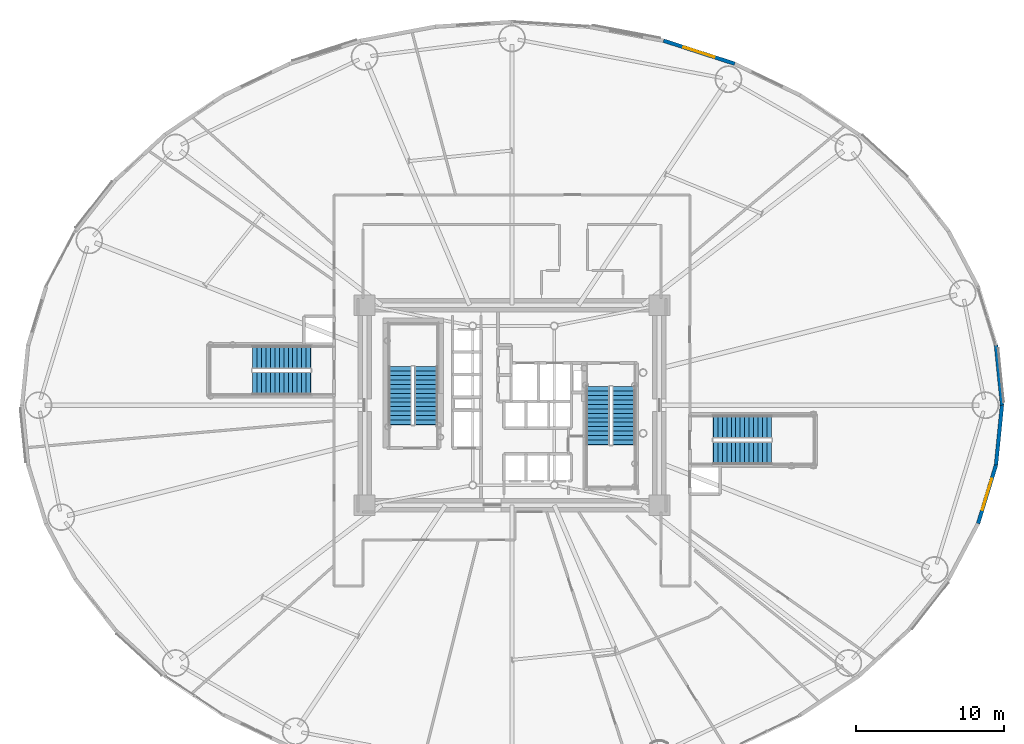
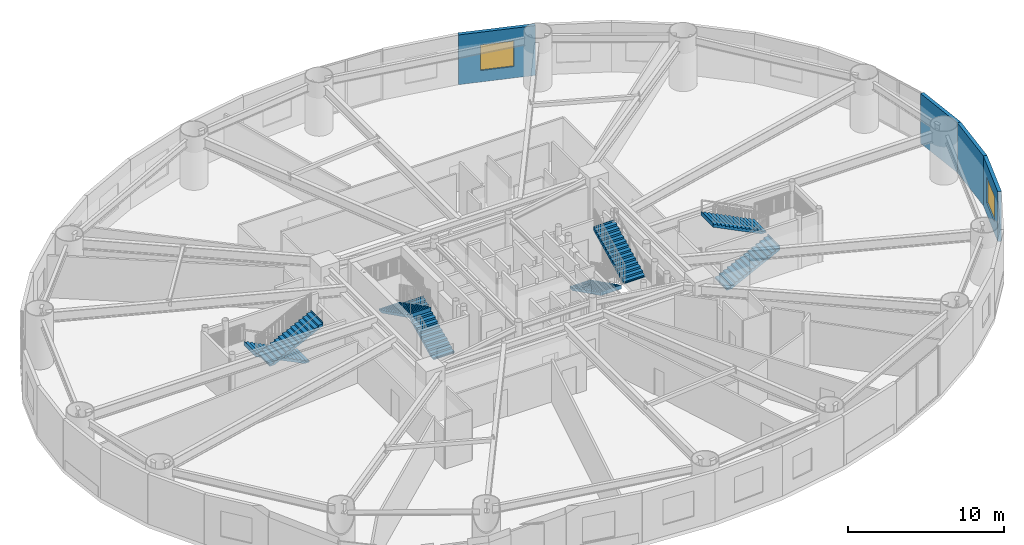
# One storey, part 19 of 30: 8 stair flights, 4 walls, 2 windows, 2 openings, 4 elements without a shape of their own.
"""IFC4 building model written with IfcOpenShell, lengths in metres."""

from ifc_helpers import new_model, si_unit, direction, frame, frame_2d, origin, origin_2d, place, context, subcontext, project, spatial, polyline, rectangle, outline, extrude, source, transform, mapped, material, layer, layer_set, type_object, element, fill, aggregate, save


model = new_model("IFC4")

# Units and contexts
model_context = context("Model", 3, precision=1e-05, world=origin(), true_north=direction((0.0, 1.0)))
body_context = subcontext(model_context, "Body", "Model", "MODEL_VIEW")
ifc_project = project(units=[si_unit("LENGTHUNIT", "METRE"), si_unit("AREAUNIT", "SQUARE_METRE"), si_unit("VOLUMEUNIT", "CUBIC_METRE"), si_unit("PLANEANGLEUNIT", "RADIAN"), si_unit("MASSUNIT", "GRAM", prefix="KILO")], contexts=[model_context])

# Site, building, storey
site_placement = place(None, origin())
site = spatial("IfcSite", under=ifc_project, at=site_placement, CompositionType="ELEMENT")
building_placement = place(site_placement, origin())
building = spatial("IfcBuilding", under=site, at=building_placement, Name="Linh Dai School and Residence Tower", CompositionType="ELEMENT")
storey_placement = place(building_placement, frame((0.0, 0.0, 10.199951171875)))
storey = spatial("IfcBuildingStorey", under=building, at=storey_placement, Name="L02", CompositionType="ELEMENT", Elevation=10.199951171875)

# Wall
ifc_material_1 = material(Name="Precast Concrete B45 (C35/45)", Category="concrete")
ifc_layer = layer(ifc_material_1, 0.25)
ifc_layer_set = layer_set([ifc_layer], Name="Precast Concrete B45 (C35/45)")
wall_type = type_object("IfcWallType", Name="EW-TC-250", PredefinedType="SOLIDWALL", material=ifc_layer_set)
wall_1_placement = place(storey_placement, frame((68.668701171875, 31.04248046875, 0.0), z_axis=(0.0, 0.0, 1.0), x_axis=(0.099991575324, -0.994988283782, 0.0)))
element("IfcWall", 1, at=wall_1_placement, inside=storey, type_object=wall_type, Name="L02 Terracotta Exterior Wall 01", PredefinedType="SOLIDWALL", context=body_context, shape_type="SweptSolid", body=[
    extrude(rectangle(XDim=4.062744140625, YDim=0.25, at=frame_2d((2.03125, 0.0))), origin(), (0.0, 0.0, 1.0), 3.900146484375),
])

# Wall, opening, window
wall_2_placement = place(storey_placement, frame((46.228515625, 51.6064453125, 0.0), z_axis=(0.0, 0.0, 1.0), x_axis=(0.951198629726, -0.308579271513, 0.0)))
wall_2 = element("IfcWall", 2, at=wall_2_placement, inside=storey, type_object=wall_type, Name="L02 Terracotta Exterior Wall 08", PredefinedType="SOLIDWALL", context=body_context, shape_type="SweptSolid", body=[
    extrude(rectangle(XDim=5.043701171875, YDim=0.25, at=frame_2d((2.52197265625, 0.0))), origin(), (0.0, 0.0, 1.0), 3.900146484375),
])
opening_1_placement = place(wall_2_placement, frame((1.421630859375, 0.0, 0.89990234375)))
opening_1 = element("IfcOpeningElement", 3, at=opening_1_placement, cuts=wall_2, Name="Opening W4", PredefinedType="OPENING", context=body_context, shape_type="SweptSolid", body=[
    extrude(rectangle(XDim=2.199951171875, YDim=2.0, at=origin_2d()), frame((1.10009765625, 0.135009765625, 1.0), z_axis=(0.0, -1.0, 0.0), x_axis=(1.0, 0.0, 0.0)), (0.0, 0.0, 1.0), 0.27001953125),
])
ifc_material_2 = material(Name="Acoustic Laminated Low-E Glazing", Category="glass")
window_type = type_object("IfcWindowType", Name="WN-SCH-2200x2000", PartitioningType="TRIPLE_PANEL_VERTICAL", PredefinedType="WINDOW", material=ifc_material_2)
shared_shape_1 = source(origin(), body_context, "Body", "SweptSolid", [
    extrude(rectangle(XDim=2.199951171875, YDim=2.0, at=origin_2d()), frame((1.10009765625, 0.030029296875, 1.0), z_axis=(0.0, -1.0, 0.0), x_axis=(1.0, 0.0, 0.0)), (0.0, 0.0, 1.0), 0.06005859375),
])
window_1_placement = place(opening_1_placement, origin())
window_1 = element("IfcWindow", 4, at=window_1_placement, inside=storey, type_object=window_type, Name="L02 Exterior Window 08.1", OverallHeight=2.0, OverallWidth=2.199951171875, PartitioningType="TRIPLE_PANEL_VERTICAL", PredefinedType="WINDOW", context=body_context, shape_type="MappedRepresentation", body=[
    mapped(shared_shape_1, transform((0.0, 0.0, 0.0), x_axis=(1.0, 0.0, 0.0), y_axis=(0.0, 1.0, 0.0), z_axis=(0.0, 0.0, 1.0), scale=1.0)),
])
fill(opening_1, window_1)

wall_3_placement = place(storey_placement, frame((68.668701171875, 22.95751953125, 0.0), z_axis=(0.0, 0.0, 1.0), x_axis=(-0.293070945898, -0.956090696885, 0.0)))
wall_3 = element("IfcWall", 5, at=wall_3_placement, inside=storey, type_object=wall_type, Name="L02 Terracotta Exterior Wall 39", PredefinedType="SOLIDWALL", context=body_context, shape_type="SweptSolid", body=[
    extrude(rectangle(XDim=4.125244140625, YDim=0.25, at=frame_2d((2.0625, 0.0))), origin(), (0.0, 0.0, 1.0), 3.900146484375),
])
opening_2_placement = place(wall_3_placement, frame((0.962646484375, 0.0, 0.89990234375)))
opening_2 = element("IfcOpeningElement", 6, at=opening_2_placement, cuts=wall_3, Name="Opening W4", PredefinedType="OPENING", context=body_context, shape_type="SweptSolid", body=[
    extrude(rectangle(XDim=2.199951171875, YDim=2.0, at=origin_2d()), frame((1.10009765625, 0.135009765625, 1.0), z_axis=(0.0, -1.0, 0.0), x_axis=(1.0, 0.0, 0.0)), (0.0, 0.0, 1.0), 0.27001953125),
])
window_2_placement = place(opening_2_placement, origin())
window_2 = element("IfcWindow", 7, at=window_2_placement, inside=storey, type_object=window_type, Name="L02 Exterior Window 39.1", OverallHeight=2.0, OverallWidth=2.199951171875, PartitioningType="TRIPLE_PANEL_VERTICAL", PredefinedType="WINDOW", context=body_context, shape_type="MappedRepresentation", body=[
    mapped(shared_shape_1, transform((0.0, 0.0, 0.0), x_axis=(1.0, 0.0, 0.0), y_axis=(0.0, 1.0, 0.0), z_axis=(0.0, 0.0, 1.0), scale=1.0)),
])
fill(opening_2, window_2)

# Wall
wall_4_placement = place(storey_placement, frame((69.074951171875, 27.0, 0.0), z_axis=(0.0, 0.0, 1.0), x_axis=(-0.099991575324, -0.994988283782, 0.0)))
element("IfcWall", 8, at=wall_4_placement, inside=storey, type_object=wall_type, Name="L02 Terracotta Exterior Wall 40", PredefinedType="SOLIDWALL", context=body_context, shape_type="SweptSolid", body=[
    extrude(rectangle(XDim=4.062744140625, YDim=0.25, at=frame_2d((2.03125, 0.0))), origin(), (0.0, 0.0, 1.0), 3.900146484375),
])

# Stair, stair flights
ifc_material_3 = material(Name="Concrete B45 (C35/45)", Category="concrete")
stair_type = type_object("IfcStairType", Name="ST-DOG-1550-R1500", PredefinedType="HALF_TURN_STAIR", material=ifc_material_3)
stair_1_placement = place(storey_placement, origin())
stair_1 = element("IfcStair", 9, at=stair_1_placement, inside=storey, type_object=stair_type, Name="L02 Core Smokeproof Exit Stair ST1", PredefinedType="HALF_TURN_STAIR")
stair_flight_type = type_object("IfcStairFlightType", Name="STF-STR-1550-R1500", PredefinedType="STRAIGHT", material=ifc_material_3)
shared_shape_2 = source(origin(), body_context, "Body", "SweptSolid", [
    extrude(outline(polyline([(-0.02490234375, 0.0), (-0.02490234375, 0.06005859375), (0.0, 0.06005859375), (0.0, 0.14990234375), (0.300048828125, 0.14990234375), (0.300048828125, 0.300048828125), (0.60009765625, 0.300048828125), (0.60009765625, 0.449951171875), (0.89990234375, 0.449951171875), (0.89990234375, 0.60009765625), (1.199951171875, 0.60009765625), (1.199951171875, 0.75), (1.5, 0.75), (1.5, 0.89990234375), (1.800048828125, 0.89990234375), (1.800048828125, 1.050048828125), (2.10009765625, 1.050048828125), (2.10009765625, 1.199951171875), (2.39990234375, 1.199951171875), (2.39990234375, 1.35009765625), (2.699951171875, 1.35009765625), (2.699951171875, 1.5), (3.0, 1.5), (3.0, 1.64990234375), (3.300048828125, 1.64990234375), (3.300048828125, 1.800048828125), (3.60009765625, 1.800048828125), (3.60009765625, 1.949951171875), (3.89990234375, 1.949951171875), (3.89990234375, 2.10009765625), (3.925048828125, 2.10009765625), (3.925048828125, 1.782470703125), (3.89990234375, 1.782470703125), (0.335205078125, 0.0), (-0.02490234375, 0.0)])), frame((0.0, 0.77490234375, 0.0), z_axis=(0.0, -1.0, 0.0), x_axis=(1.0, 0.0, 0.0)), (0.0, 0.0, 1.0), 1.550048828125),
])
stair_flight_1_placement = place(storey_placement, frame((30.205078125, 25.699951171875, 0.0), z_axis=(0.0, 0.0, 1.0), x_axis=(0.0, 1.0, 0.0)))
stair_flight_1 = element("IfcStairFlight", 10, at=stair_flight_1_placement, type_object=stair_flight_type, Name="ST1 flight 1", NumberOfRisers=14, NumberOfTreads=13, PredefinedType="STRAIGHT", RiserHeight=0.15, TreadLength=0.3, context=body_context, shape_type="MappedRepresentation", body=[
    mapped(shared_shape_2, transform((0.0, 0.0, 0.0), x_axis=(1.0, 0.0, 0.0), y_axis=(0.0, 1.0, 0.0), z_axis=(0.0, 0.0, 1.0), scale=1.0)),
])
stair_flight_2_placement = place(storey_placement, frame((28.455078125, 29.60009765625, 2.10009765625), z_axis=(0.0, 0.0, 1.0), x_axis=(0.0, -1.0, 0.0)))
stair_flight_2 = element("IfcStairFlight", 11, at=stair_flight_2_placement, type_object=stair_flight_type, Name="ST1 flight 2", NumberOfRisers=14, NumberOfTreads=13, PredefinedType="STRAIGHT", RiserHeight=0.15, TreadLength=0.3, context=body_context, shape_type="MappedRepresentation", body=[
    mapped(shared_shape_2, transform((0.0, 0.0, 0.0), x_axis=(1.0, 0.0, 0.0), y_axis=(0.0, 1.0, 0.0), z_axis=(0.0, 0.0, 1.0), scale=1.0)),
])
aggregate(stair_1, [stair_flight_1, stair_flight_2])

stair_2_placement = place(storey_placement, origin())
stair_2 = element("IfcStair", 12, at=stair_2_placement, inside=storey, type_object=stair_type, Name="L02 Core Smokeproof Exit Stair ST2", PredefinedType="HALF_TURN_STAIR")
stair_flight_3_placement = place(storey_placement, frame((41.794921875, 28.25, 0.0), z_axis=(0.0, 0.0, 1.0), x_axis=(0.0, -1.0, 0.0)))
stair_flight_3 = element("IfcStairFlight", 13, at=stair_flight_3_placement, type_object=stair_flight_type, Name="ST2 flight 1", NumberOfRisers=14, NumberOfTreads=13, PredefinedType="STRAIGHT", RiserHeight=0.15, TreadLength=0.3, context=body_context, shape_type="MappedRepresentation", body=[
    mapped(shared_shape_2, transform((0.0, 0.0, 0.0), x_axis=(1.0, 0.0, 0.0), y_axis=(0.0, 1.0, 0.0), z_axis=(0.0, 0.0, 1.0), scale=1.0)),
])
stair_flight_4_placement = place(storey_placement, frame((43.544921875, 24.35009765625, 2.10009765625), z_axis=(0.0, 0.0, 1.0), x_axis=(0.0, 1.0, 0.0)))
stair_flight_4 = element("IfcStairFlight", 14, at=stair_flight_4_placement, type_object=stair_flight_type, Name="ST2 flight 2", NumberOfRisers=14, NumberOfTreads=13, PredefinedType="STRAIGHT", RiserHeight=0.15, TreadLength=0.3, context=body_context, shape_type="MappedRepresentation", body=[
    mapped(shared_shape_2, transform((0.0, 0.0, 0.0), x_axis=(1.0, 0.0, 0.0), y_axis=(0.0, 1.0, 0.0), z_axis=(0.0, 0.0, 1.0), scale=1.0)),
])
aggregate(stair_2, [stair_flight_3, stair_flight_4])

stair_3_placement = place(storey_placement, origin())
stair_3 = element("IfcStair", 15, at=stair_3_placement, inside=storey, type_object=stair_type, Name="L02 School Exit Stair STS1", PredefinedType="HALF_TURN_STAIR")
stair_flight_5_placement = place(storey_placement, frame((22.39990234375, 30.22509765625, 0.0), z_axis=(0.0, 0.0, 1.0), x_axis=(-1.0, 0.0, 0.0)))
stair_flight_5 = element("IfcStairFlight", 16, at=stair_flight_5_placement, type_object=stair_flight_type, Name="STS1 flight 1", NumberOfRisers=14, NumberOfTreads=13, PredefinedType="STRAIGHT", RiserHeight=0.15, TreadLength=0.3, context=body_context, shape_type="MappedRepresentation", body=[
    mapped(shared_shape_2, transform((0.0, 0.0, 0.0), x_axis=(1.0, 0.0, 0.0), y_axis=(0.0, 1.0, 0.0), z_axis=(0.0, 0.0, 1.0), scale=1.0)),
])
stair_flight_6_placement = place(storey_placement, frame((18.5, 28.47509765625, 2.10009765625), z_axis=(0.0, 0.0, 1.0), x_axis=(1.0, 0.0, 0.0)))
stair_flight_6 = element("IfcStairFlight", 17, at=stair_flight_6_placement, type_object=stair_flight_type, Name="STS1 flight 2", NumberOfRisers=14, NumberOfTreads=13, PredefinedType="STRAIGHT", RiserHeight=0.15, TreadLength=0.3, context=body_context, shape_type="MappedRepresentation", body=[
    mapped(shared_shape_2, transform((0.0, 0.0, 0.0), x_axis=(1.0, 0.0, 0.0), y_axis=(0.0, 1.0, 0.0), z_axis=(0.0, 0.0, 1.0), scale=1.0)),
])
aggregate(stair_3, [stair_flight_5, stair_flight_6])

stair_4_placement = place(storey_placement, origin())
stair_4 = element("IfcStair", 18, at=stair_4_placement, inside=storey, type_object=stair_type, Name="L02 School Exit Stair STS2", PredefinedType="HALF_TURN_STAIR")
stair_flight_7_placement = place(storey_placement, frame((49.60009765625, 23.77490234375, 0.0), z_axis=(0.0, 0.0, 1.0), x_axis=(1.0, 0.0, 0.0)))
stair_flight_7 = element("IfcStairFlight", 19, at=stair_flight_7_placement, type_object=stair_flight_type, Name="STS2 flight 1", NumberOfRisers=14, NumberOfTreads=13, PredefinedType="STRAIGHT", RiserHeight=0.15, TreadLength=0.3, context=body_context, shape_type="MappedRepresentation", body=[
    mapped(shared_shape_2, transform((0.0, 0.0, 0.0), x_axis=(1.0, 0.0, 0.0), y_axis=(0.0, 1.0, 0.0), z_axis=(0.0, 0.0, 1.0), scale=1.0)),
])
stair_flight_8_placement = place(storey_placement, frame((53.5, 25.52490234375, 2.10009765625), z_axis=(0.0, 0.0, 1.0), x_axis=(-1.0, 0.0, 0.0)))
stair_flight_8 = element("IfcStairFlight", 20, at=stair_flight_8_placement, type_object=stair_flight_type, Name="STS2 flight 2", NumberOfRisers=14, NumberOfTreads=13, PredefinedType="STRAIGHT", RiserHeight=0.15, TreadLength=0.3, context=body_context, shape_type="MappedRepresentation", body=[
    mapped(shared_shape_2, transform((0.0, 0.0, 0.0), x_axis=(1.0, 0.0, 0.0), y_axis=(0.0, 1.0, 0.0), z_axis=(0.0, 0.0, 1.0), scale=1.0)),
])
aggregate(stair_4, [stair_flight_7, stair_flight_8])

save(model, "model.ifc")
